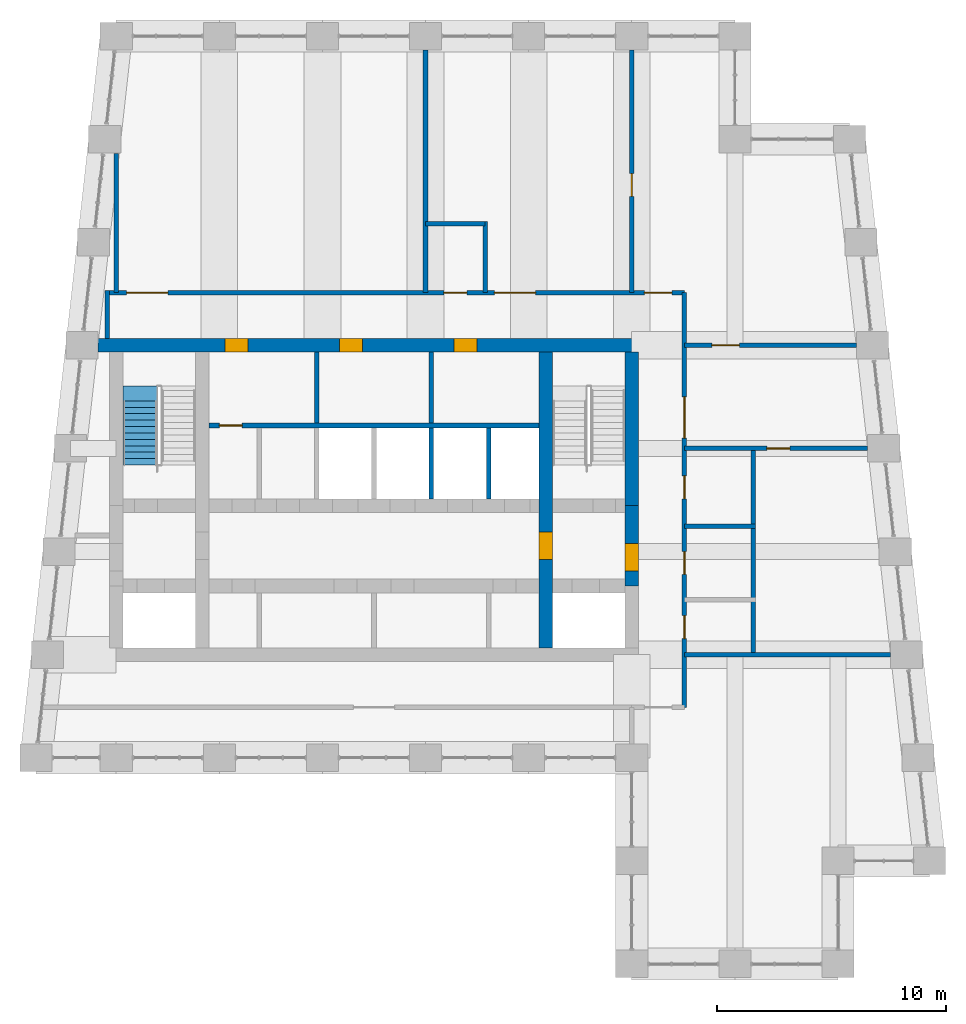
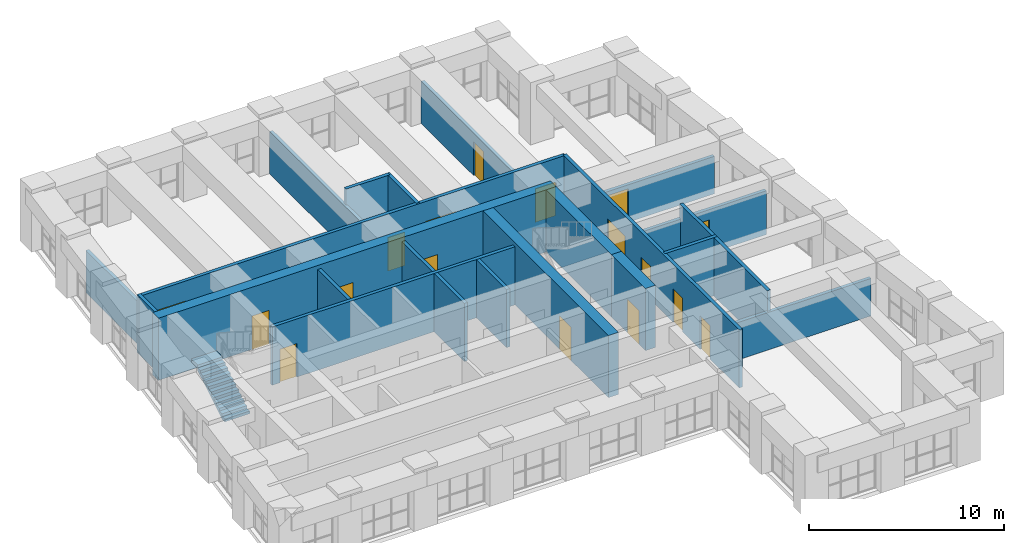
# One storey, part 16 of 18: 22 walls, 17 doors, 1 stair flight, 17 openings, 1 element without a shape of its own.
"""IFC4 building model written with IfcOpenShell, lengths in metres."""

from ifc_helpers import new_model, si_unit, direction, frame, frame_2d, origin, place, context, subcontext, project, spatial, polyline, rectangle, outline, extrude, material, layer, layer_set, type_object, element, fill, aggregate, save


model = new_model("IFC4")

# Units and contexts
model_context = context("Model", 3, precision=1e-05, world=origin(), true_north=direction((0.0, 1.0)))
body_context = subcontext(model_context, "Body", "Model", "MODEL_VIEW")
ifc_project = project(units=[si_unit("LENGTHUNIT", "METRE"), si_unit("AREAUNIT", "SQUARE_METRE"), si_unit("VOLUMEUNIT", "CUBIC_METRE"), si_unit("PLANEANGLEUNIT", "RADIAN"), si_unit("MASSUNIT", "GRAM", prefix="KILO")], contexts=[model_context])

# Site, building, storey
site_placement = place(None, origin())
site = spatial("IfcSite", under=ifc_project, at=site_placement, CompositionType="ELEMENT")
building_placement = place(site_placement, origin())
building = spatial("IfcBuilding", under=site, at=building_placement, Name="Kilele Tower Hotel", CompositionType="ELEMENT")
storey_placement = place(building_placement, frame((0.0, 0.0, 281.89990234375)))
storey = spatial("IfcBuildingStorey", under=building, at=storey_placement, Name="L72", CompositionType="ELEMENT", Elevation=281.89990234375)

# Wall, openings, doors
ifc_material_1 = material(Name="Concrete C60/75", Category="concrete")
ifc_layer_1 = layer(ifc_material_1, 0.60009765625)
ifc_layer_set_1 = layer_set([ifc_layer_1], Name="Concrete C60/75")
wall_type_1 = type_object("IfcWallType", Name="Core wall 600 C60/75", PredefinedType="SHEAR", material=ifc_layer_set_1)
wall_1_placement = place(storey_placement, frame((36.300048828125, 27.0, 0.0), z_axis=(0.0, 0.0, 1.0), x_axis=(-1.0, 0.0, 0.0)))
wall_1 = element("IfcWall", 1, at=wall_1_placement, inside=storey, type_object=wall_type_1, Name="Core wall N L72", PredefinedType="SHEAR", context=body_context, shape_type="SweptSolid", body=[
    extrude(rectangle(XDim=23.60009765625, YDim=0.60009765625, at=frame_2d((11.800048828125, 0.0))), origin(), (0.0, 0.0, 1.0), 3.900146484375),
])
opening_1_placement = place(wall_1_placement, frame((17.050048828125, 0.0, 0.0)))
opening_1 = element("IfcOpeningElement", 2, at=opening_1_placement, cuts=wall_1, Name="Opening D12", PredefinedType="OPENING", context=body_context, shape_type="SweptSolid", body=[
    extrude(rectangle(XDim=1.0, YDim=2.10009765625, at=frame_2d((0.5, 1.050048828125))), frame((0.0, 0.31005859375, 0.0), z_axis=(0.0, -1.0, 0.0), x_axis=(1.0, 0.0, 0.0)), (0.0, 0.0, 1.0), 0.6201171875),
])
opening_2_placement = place(wall_1_placement, frame((12.050048828125, 0.0, 0.0)))
opening_2 = element("IfcOpeningElement", 3, at=opening_2_placement, cuts=wall_1, Name="Opening D6", PredefinedType="OPENING", context=body_context, shape_type="SweptSolid", body=[
    extrude(rectangle(XDim=1.0, YDim=2.10009765625, at=frame_2d((0.5, 1.050048828125))), frame((0.0, 0.31005859375, 0.0), z_axis=(0.0, -1.0, 0.0), x_axis=(1.0, 0.0, 0.0)), (0.0, 0.0, 1.0), 0.6201171875),
])
opening_3_placement = place(wall_1_placement, frame((7.050048828125, 0.0, 0.0)))
opening_3 = element("IfcOpeningElement", 4, at=opening_3_placement, cuts=wall_1, Name="Opening D6", PredefinedType="OPENING", context=body_context, shape_type="SweptSolid", body=[
    extrude(rectangle(XDim=1.0, YDim=2.10009765625, at=frame_2d((0.5, 1.050048828125))), frame((0.0, 0.31005859375, 0.0), z_axis=(0.0, -1.0, 0.0), x_axis=(1.0, 0.0, 0.0)), (0.0, 0.0, 1.0), 0.6201171875),
])
ifc_material_2 = material(Name="Timber door leaf in hardwood frame", Category="wood")
door_type_1 = type_object("IfcDoorType", Name="Core lobby door 1000", OperationType="SINGLE_SWING_LEFT", PredefinedType="DOOR", material=ifc_material_2)
door_1_placement = place(opening_1_placement, origin())
door_1 = element("IfcDoor", 5, at=door_1_placement, inside=storey, type_object=door_type_1, Name="North lobby door L72", OperationType="SINGLE_SWING_RIGHT", OverallHeight=2.10009765625, OverallWidth=1.0, PredefinedType="DOOR", context=body_context, shape_type="SweptSolid", body=[
    extrude(rectangle(XDim=1.0, YDim=2.10009765625, at=frame_2d((0.5, 1.050048828125))), frame((0.0, 0.2998046875, 0.0), z_axis=(0.0, -1.0, 0.0), x_axis=(1.0, 0.0, 0.0)), (0.0, 0.0, 1.0), 0.599609375),
])
fill(opening_1, door_1)
ifc_material_3 = material(Name="Timber door leaf in hardwood frame", Category="wood")
door_type_2 = type_object("IfcDoorType", Name="Riser door 1000", OperationType="SINGLE_SWING_LEFT", PredefinedType="DOOR", material=ifc_material_3)
door_2_placement = place(opening_2_placement, origin())
door_2 = element("IfcDoor", 6, at=door_2_placement, inside=storey, type_object=door_type_2, Name="Staff WC door L72", OperationType="SINGLE_SWING_RIGHT", OverallHeight=2.10009765625, OverallWidth=1.0, PredefinedType="DOOR", context=body_context, shape_type="SweptSolid", body=[
    extrude(rectangle(XDim=1.0, YDim=2.10009765625, at=frame_2d((0.5, 1.050048828125))), frame((0.0, 0.2998046875, 0.0), z_axis=(0.0, -1.0, 0.0), x_axis=(1.0, 0.0, 0.0)), (0.0, 0.0, 1.0), 0.599609375),
])
fill(opening_2, door_2)
door_3_placement = place(opening_3_placement, origin())
door_3 = element("IfcDoor", 7, at=door_3_placement, inside=storey, type_object=door_type_2, Name="Electrical riser door L72", OperationType="SINGLE_SWING_RIGHT", OverallHeight=2.10009765625, OverallWidth=1.0, PredefinedType="DOOR", context=body_context, shape_type="SweptSolid", body=[
    extrude(rectangle(XDim=1.0, YDim=2.10009765625, at=frame_2d((0.5, 1.050048828125))), frame((0.0, 0.2998046875, 0.0), z_axis=(0.0, -1.0, 0.0), x_axis=(1.0, 0.0, 0.0)), (0.0, 0.0, 1.0), 0.599609375),
])
fill(opening_3, door_3)

# Wall, opening, door
wall_2_placement = place(storey_placement, frame((32.25, 13.800048828125, 0.0), z_axis=(0.0, 0.0, 1.0), x_axis=(0.0, 1.0, 0.0)))
wall_2 = element("IfcWall", 8, at=wall_2_placement, inside=storey, type_object=wall_type_1, Name="Core wall IE L72", PredefinedType="SHEAR", context=body_context, shape_type="SweptSolid", body=[
    extrude(rectangle(XDim=12.89990234375, YDim=0.60009765625, at=frame_2d((6.449951171875, 0.0))), origin(), (0.0, 0.0, 1.0), 3.900146484375),
])
opening_4_placement = place(wall_2_placement, frame((5.050048828125, 0.0, 0.0), z_axis=(0.0, 0.0, 1.0), x_axis=(-1.0, 0.0, 0.0)))
opening_4 = element("IfcOpeningElement", 9, at=opening_4_placement, cuts=wall_2, Name="Opening D4", PredefinedType="OPENING", context=body_context, shape_type="SweptSolid", body=[
    extrude(rectangle(XDim=1.199951171875, YDim=2.10009765625, at=frame_2d((0.60009765625, 1.050048828125))), frame((0.0, 0.31005859375, 0.0), z_axis=(0.0, -1.0, 0.0), x_axis=(1.0, 0.0, 0.0)), (0.0, 0.0, 1.0), 0.6201171875),
])
ifc_material_4 = material(Name="Timber door leaf in hardwood frame", Category="wood")
door_type_3 = type_object("IfcDoorType", Name="Firefighting lobby door 1200", OperationType="SINGLE_SWING_LEFT", PredefinedType="DOOR", material=ifc_material_4)
door_4_placement = place(opening_4_placement, origin())
door_4 = element("IfcDoor", 10, at=door_4_placement, inside=storey, type_object=door_type_3, Name="Lobby door L72", OperationType="SINGLE_SWING_RIGHT", OverallHeight=2.10009765625, OverallWidth=1.199951171875, PredefinedType="DOOR", context=body_context, shape_type="SweptSolid", body=[
    extrude(rectangle(XDim=1.199951171875, YDim=2.10009765625, at=frame_2d((0.60009765625, 1.050048828125))), frame((0.0, 0.2998046875, 0.0), z_axis=(0.0, -1.0, 0.0), x_axis=(1.0, 0.0, 0.0)), (0.0, 0.0, 1.0), 0.599609375),
])
fill(opening_4, door_4)

wall_3_placement = place(storey_placement, frame((36.0, 16.5, 0.0), z_axis=(0.0, 0.0, 1.0), x_axis=(0.0, 1.0, 0.0)))
wall_3 = element("IfcWall", 11, at=wall_3_placement, inside=storey, type_object=wall_type_1, Name="Core wall E2 L72", PredefinedType="SHEAR", context=body_context, shape_type="SweptSolid", body=[
    extrude(rectangle(XDim=3.5, YDim=0.60009765625, at=frame_2d((1.75, 0.0))), origin(), (0.0, 0.0, 1.0), 3.900146484375),
])
opening_5_placement = place(wall_3_placement, frame((0.64990234375, 0.0, 0.0)))
opening_5 = element("IfcOpeningElement", 12, at=opening_5_placement, cuts=wall_3, Name="Opening D4", PredefinedType="OPENING", context=body_context, shape_type="SweptSolid", body=[
    extrude(rectangle(XDim=1.199951171875, YDim=2.10009765625, at=frame_2d((0.60009765625, 1.050048828125))), frame((0.0, 0.31005859375, 0.0), z_axis=(0.0, -1.0, 0.0), x_axis=(1.0, 0.0, 0.0)), (0.0, 0.0, 1.0), 0.6201171875),
])
door_5_placement = place(opening_5_placement, origin())
door_5 = element("IfcDoor", 13, at=door_5_placement, inside=storey, type_object=door_type_3, Name="Lobby door L72", OperationType="SINGLE_SWING_LEFT", OverallHeight=2.10009765625, OverallWidth=1.199951171875, PredefinedType="DOOR", context=body_context, shape_type="SweptSolid", body=[
    extrude(rectangle(XDim=1.199951171875, YDim=2.10009765625, at=frame_2d((0.60009765625, 1.050048828125))), frame((0.0, 0.2998046875, 0.0), z_axis=(0.0, -1.0, 0.0), x_axis=(1.0, 0.0, 0.0)), (0.0, 0.0, 1.0), 0.599609375),
])
fill(opening_5, door_5)

# Wall
wall_4_placement = place(storey_placement, frame((36.0, 20.0, 0.0), z_axis=(0.0, 0.0, 1.0), x_axis=(0.0, 1.0, 0.0)))
element("IfcWall", 14, at=wall_4_placement, inside=storey, type_object=wall_type_1, Name="Core wall E3 L72", PredefinedType="SHEAR", context=body_context, shape_type="SweptSolid", body=[
    extrude(rectangle(XDim=6.699951171875, YDim=0.60009765625, at=frame_2d((3.35009765625, 0.0))), origin(), (0.0, 0.0, 1.0), 3.900146484375),
])

# Wall, openings, doors
ifc_material_5 = material(Name="Blockwork, plastered both sides", Category="masonry")
ifc_layer_2 = layer(ifc_material_5, 0.199951171875)
ifc_layer_set_2 = layer_set([ifc_layer_2], Name="Blockwork, plastered both sides")
wall_type_2 = type_object("IfcWallType", Name="Corridor wall 200", PredefinedType="PARTITIONING", material=ifc_layer_set_2)
wall_5_placement = place(storey_placement, frame((38.300048828125, 11.199951171875, 0.0), z_axis=(0.0, 0.0, 1.0), x_axis=(0.0, 1.0, 0.0)))
wall_5 = element("IfcWall", 15, at=wall_5_placement, inside=storey, type_object=wall_type_2, Name="Corridor wall 200 L72", PredefinedType="PARTITIONING", context=body_context, shape_type="SweptSolid", body=[
    extrude(rectangle(XDim=18.10009765625, YDim=0.199951171875, at=frame_2d((9.050048828125, 0.0))), origin(), (0.0, 0.0, 1.0), 3.650146484375),
])
opening_6_placement = place(wall_5_placement, frame((4.0, 0.0, 0.0), z_axis=(0.0, 0.0, 1.0), x_axis=(-1.0, 0.0, 0.0)))
opening_6 = element("IfcOpeningElement", 16, at=opening_6_placement, cuts=wall_5, Name="Opening D8", PredefinedType="OPENING", context=body_context, shape_type="SweptSolid", body=[
    extrude(rectangle(XDim=1.0, YDim=2.10009765625, at=frame_2d((0.5, 1.050048828125))), frame((0.0, 0.10986328125, 0.0), z_axis=(0.0, -1.0, 0.0), x_axis=(1.0, 0.0, 0.0)), (0.0, 0.0, 1.0), 0.219970703125),
])
opening_7_placement = place(wall_5_placement, frame((6.800048828125, 0.0, 0.0), z_axis=(0.0, 0.0, 1.0), x_axis=(-1.0, 0.0, 0.0)))
opening_7 = element("IfcOpeningElement", 17, at=opening_7_placement, cuts=wall_5, Name="Opening D8", PredefinedType="OPENING", context=body_context, shape_type="SweptSolid", body=[
    extrude(rectangle(XDim=1.0, YDim=2.10009765625, at=frame_2d((0.5, 1.050048828125))), frame((0.0, 0.10986328125, 0.0), z_axis=(0.0, -1.0, 0.0), x_axis=(1.0, 0.0, 0.0)), (0.0, 0.0, 1.0), 0.219970703125),
])
opening_8_placement = place(wall_5_placement, frame((10.10009765625, 0.0, 0.0), z_axis=(0.0, 0.0, 1.0), x_axis=(-1.0, 0.0, 0.0)))
opening_8 = element("IfcOpeningElement", 18, at=opening_8_placement, cuts=wall_5, Name="Opening D8", PredefinedType="OPENING", context=body_context, shape_type="SweptSolid", body=[
    extrude(rectangle(XDim=1.0, YDim=2.10009765625, at=frame_2d((0.5, 1.050048828125))), frame((0.0, 0.10986328125, 0.0), z_axis=(0.0, -1.0, 0.0), x_axis=(1.0, 0.0, 0.0)), (0.0, 0.0, 1.0), 0.219970703125),
])
opening_9_placement = place(wall_5_placement, frame((13.550048828125, 0.0, 0.0), z_axis=(0.0, 0.0, 1.0), x_axis=(-1.0, 0.0, 0.0)))
opening_9 = element("IfcOpeningElement", 19, at=opening_9_placement, cuts=wall_5, Name="Opening D9", PredefinedType="OPENING", context=body_context, shape_type="SweptSolid", body=[
    extrude(rectangle(XDim=1.800048828125, YDim=2.39990234375, at=frame_2d((0.89990234375, 1.199951171875))), frame((0.0, 0.10986328125, 0.0), z_axis=(0.0, -1.0, 0.0), x_axis=(1.0, 0.0, 0.0)), (0.0, 0.0, 1.0), 0.219970703125),
])
ifc_material_6 = material(Name="Timber door leaf in hardwood frame", Category="wood")
door_type_4 = type_object("IfcDoorType", Name="Door 1000", OperationType="SINGLE_SWING_LEFT", PredefinedType="DOOR", material=ifc_material_6)
door_6_placement = place(opening_6_placement, origin())
door_6 = element("IfcDoor", 20, at=door_6_placement, inside=storey, type_object=door_type_4, Name="Door Accessible WC 7201", OperationType="SINGLE_SWING_RIGHT", OverallHeight=2.10009765625, OverallWidth=1.0, PredefinedType="DOOR", context=body_context, shape_type="SweptSolid", body=[
    extrude(rectangle(XDim=1.0, YDim=2.10009765625, at=frame_2d((0.5, 1.050048828125))), frame((0.0, 0.02490234375, 0.0), z_axis=(0.0, -1.0, 0.0), x_axis=(1.0, 0.0, 0.0)), (0.0, 0.0, 1.0), 0.050048828125),
])
fill(opening_6, door_6)
door_7_placement = place(opening_7_placement, origin())
door_7 = element("IfcDoor", 21, at=door_7_placement, inside=storey, type_object=door_type_4, Name="Door WC women 7202", OperationType="SINGLE_SWING_RIGHT", OverallHeight=2.10009765625, OverallWidth=1.0, PredefinedType="DOOR", context=body_context, shape_type="SweptSolid", body=[
    extrude(rectangle(XDim=1.0, YDim=2.10009765625, at=frame_2d((0.5, 1.050048828125))), frame((0.0, 0.02490234375, 0.0), z_axis=(0.0, -1.0, 0.0), x_axis=(1.0, 0.0, 0.0)), (0.0, 0.0, 1.0), 0.050048828125),
])
fill(opening_7, door_7)
door_8_placement = place(opening_8_placement, origin())
door_8 = element("IfcDoor", 22, at=door_8_placement, inside=storey, type_object=door_type_4, Name="Door WC men 7203", OperationType="SINGLE_SWING_LEFT", OverallHeight=2.10009765625, OverallWidth=1.0, PredefinedType="DOOR", context=body_context, shape_type="SweptSolid", body=[
    extrude(rectangle(XDim=1.0, YDim=2.10009765625, at=frame_2d((0.5, 1.050048828125))), frame((0.0, 0.02490234375, 0.0), z_axis=(0.0, -1.0, 0.0), x_axis=(1.0, 0.0, 0.0)), (0.0, 0.0, 1.0), 0.050048828125),
])
fill(opening_8, door_8)
ifc_material_7 = material(Name="Timber door leaf in hardwood frame", Category="wood")
door_type_5 = type_object("IfcDoorType", Name="Double door 1800", OperationType="DOUBLE_DOOR_SINGLE_SWING", PredefinedType="DOOR", material=ifc_material_7)
door_9_placement = place(opening_9_placement, origin())
door_9 = element("IfcDoor", 23, at=door_9_placement, inside=storey, type_object=door_type_5, Name="Door Restaurant servery 7205", OperationType="DOUBLE_DOOR_SINGLE_SWING", OverallHeight=2.39990234375, OverallWidth=1.800048828125, PredefinedType="DOOR", context=body_context, shape_type="SweptSolid", body=[
    extrude(rectangle(XDim=1.800048828125, YDim=2.39990234375, at=frame_2d((0.89990234375, 1.199951171875))), frame((0.0, 0.02490234375, 0.0), z_axis=(0.0, -1.0, 0.0), x_axis=(1.0, 0.0, 0.0)), (0.0, 0.0, 1.0), 0.050048828125),
])
fill(opening_9, door_9)

wall_6_placement = place(storey_placement, frame((13.0, 29.300048828125, 0.0), z_axis=(0.0, 0.0, 1.0), x_axis=(1.0, 0.0, 0.0)))
wall_6 = element("IfcWall", 24, at=wall_6_placement, inside=storey, type_object=wall_type_2, Name="Corridor wall 200 L72", PredefinedType="PARTITIONING", context=body_context, shape_type="SweptSolid", body=[
    extrude(rectangle(XDim=25.300048828125, YDim=0.199951171875, at=frame_2d((12.64990234375, 0.0))), origin(), (0.0, 0.0, 1.0), 3.650146484375),
])
opening_10_placement = place(wall_6_placement, frame((2.75, 0.0, 0.0), z_axis=(0.0, 0.0, 1.0), x_axis=(-1.0, 0.0, 0.0)))
opening_10 = element("IfcOpeningElement", 25, at=opening_10_placement, cuts=wall_6, Name="Opening D9", PredefinedType="OPENING", context=body_context, shape_type="SweptSolid", body=[
    extrude(rectangle(XDim=1.800048828125, YDim=2.39990234375, at=frame_2d((0.89990234375, 1.199951171875))), frame((0.0, 0.10986328125, 0.0), z_axis=(0.0, -1.0, 0.0), x_axis=(1.0, 0.0, 0.0)), (0.0, 0.0, 1.0), 0.219970703125),
])
opening_11_placement = place(wall_6_placement, frame((14.800048828125, 0.0, 0.0)))
opening_11 = element("IfcOpeningElement", 26, at=opening_11_placement, cuts=wall_6, Name="Opening D8", PredefinedType="OPENING", context=body_context, shape_type="SweptSolid", body=[
    extrude(rectangle(XDim=1.0, YDim=2.10009765625, at=frame_2d((0.5, 1.050048828125))), frame((0.0, 0.10986328125, 0.0), z_axis=(0.0, -1.0, 0.0), x_axis=(1.0, 0.0, 0.0)), (0.0, 0.0, 1.0), 0.219970703125),
])
opening_12_placement = place(wall_6_placement, frame((18.800048828125, 0.0, 0.0), z_axis=(0.0, 0.0, 1.0), x_axis=(-1.0, 0.0, 0.0)))
opening_12 = element("IfcOpeningElement", 27, at=opening_12_placement, cuts=wall_6, Name="Opening D9", PredefinedType="OPENING", context=body_context, shape_type="SweptSolid", body=[
    extrude(rectangle(XDim=1.800048828125, YDim=2.39990234375, at=frame_2d((0.89990234375, 1.199951171875))), frame((0.0, 0.10986328125, 0.0), z_axis=(0.0, -1.0, 0.0), x_axis=(1.0, 0.0, 0.0)), (0.0, 0.0, 1.0), 0.219970703125),
])
opening_13_placement = place(wall_6_placement, frame((23.550048828125, 0.0, 0.0)))
opening_13 = element("IfcOpeningElement", 28, at=opening_13_placement, cuts=wall_6, Name="Opening D8A", PredefinedType="OPENING", context=body_context, shape_type="SweptSolid", body=[
    extrude(rectangle(XDim=1.199951171875, YDim=2.10009765625, at=frame_2d((0.60009765625, 1.050048828125))), frame((0.0, 0.10986328125, 0.0), z_axis=(0.0, -1.0, 0.0), x_axis=(1.0, 0.0, 0.0)), (0.0, 0.0, 1.0), 0.219970703125),
])
door_10_placement = place(opening_11_placement, origin())
door_10 = element("IfcDoor", 29, at=door_10_placement, inside=storey, type_object=door_type_4, Name="Door Cold store 7207", OperationType="SINGLE_SWING_RIGHT", OverallHeight=2.10009765625, OverallWidth=1.0, PredefinedType="DOOR", context=body_context, shape_type="SweptSolid", body=[
    extrude(rectangle(XDim=1.0, YDim=2.10009765625, at=frame_2d((0.5, 1.050048828125))), frame((0.0, 0.02490234375, 0.0), z_axis=(0.0, -1.0, 0.0), x_axis=(1.0, 0.0, 0.0)), (0.0, 0.0, 1.0), 0.050048828125),
])
fill(opening_11, door_10)
ifc_material_8 = material(Name="Timber door leaf in hardwood frame", Category="wood")
door_type_6 = type_object("IfcDoorType", Name="Door 1200", OperationType="SINGLE_SWING_LEFT", PredefinedType="DOOR", material=ifc_material_8)
door_11_placement = place(opening_13_placement, origin())
door_11 = element("IfcDoor", 30, at=door_11_placement, inside=storey, type_object=door_type_6, Name="Door Restaurant kitchen 7210", OperationType="SINGLE_SWING_LEFT", OverallHeight=2.10009765625, OverallWidth=1.199951171875, PredefinedType="DOOR", context=body_context, shape_type="SweptSolid", body=[
    extrude(rectangle(XDim=1.199951171875, YDim=2.10009765625, at=frame_2d((0.60009765625, 1.050048828125))), frame((0.0, 0.02490234375, 0.0), z_axis=(0.0, -1.0, 0.0), x_axis=(1.0, 0.0, 0.0)), (0.0, 0.0, 1.0), 0.050048828125),
])
fill(opening_13, door_11)
door_12_placement = place(opening_10_placement, origin())
door_12 = element("IfcDoor", 31, at=door_12_placement, inside=storey, type_object=door_type_5, Name="Door Sky restaurant dining room 7206", OperationType="DOUBLE_DOOR_SINGLE_SWING", OverallHeight=2.39990234375, OverallWidth=1.800048828125, PredefinedType="DOOR", context=body_context, shape_type="SweptSolid", body=[
    extrude(rectangle(XDim=1.800048828125, YDim=2.39990234375, at=frame_2d((0.89990234375, 1.199951171875))), frame((0.0, 0.02490234375, 0.0), z_axis=(0.0, -1.0, 0.0), x_axis=(1.0, 0.0, 0.0)), (0.0, 0.0, 1.0), 0.050048828125),
])
fill(opening_10, door_12)
door_13_placement = place(opening_12_placement, origin())
door_13 = element("IfcDoor", 32, at=door_13_placement, inside=storey, type_object=door_type_5, Name="Door Private dining room 7208", OperationType="DOUBLE_DOOR_SINGLE_SWING", OverallHeight=2.39990234375, OverallWidth=1.800048828125, PredefinedType="DOOR", context=body_context, shape_type="SweptSolid", body=[
    extrude(rectangle(XDim=1.800048828125, YDim=2.39990234375, at=frame_2d((0.89990234375, 1.199951171875))), frame((0.0, 0.02490234375, 0.0), z_axis=(0.0, -1.0, 0.0), x_axis=(1.0, 0.0, 0.0)), (0.0, 0.0, 1.0), 0.050048828125),
])
fill(opening_12, door_13)

# Wall
ifc_material_9 = material(Name="Blockwork, plastered both sides", Category="masonry")
ifc_layer_3 = layer(ifc_material_9, 0.199951171875)
ifc_layer_set_3 = layer_set([ifc_layer_3], Name="Blockwork, plastered both sides")
wall_type_3 = type_object("IfcWallType", Name="Partition wall 200", PredefinedType="PARTITIONING", material=ifc_layer_set_3)
wall_7_placement = place(storey_placement, frame((38.300048828125, 13.5, 0.0), z_axis=(0.0, 0.0, 1.0), x_axis=(1.0, 0.0, 0.0)))
element("IfcWall", 33, at=wall_7_placement, inside=storey, type_object=wall_type_3, Name="Partition wall 200 L72", PredefinedType="PARTITIONING", context=body_context, shape_type="SweptSolid", body=[
    extrude(rectangle(XDim=8.9990234375, YDim=0.199951171875, at=frame_2d((4.49951171875, 0.0))), origin(), (0.0, 0.0, 1.0), 2.35009765625),
])

# Wall, opening, door
wall_8_placement = place(storey_placement, frame((38.300048828125, 22.5, 0.0), z_axis=(0.0, 0.0, 1.0), x_axis=(1.0, 0.0, 0.0)))
wall_8 = element("IfcWall", 34, at=wall_8_placement, inside=storey, type_object=wall_type_3, Name="Partition wall 200 L72", PredefinedType="PARTITIONING", context=body_context, shape_type="SweptSolid", body=[
    extrude(rectangle(XDim=7.9990234375, YDim=0.199951171875, at=frame_2d((3.99951171875, 0.0))), origin(), (0.0, 0.0, 1.0), 2.75),
])
opening_14_placement = place(wall_8_placement, frame((4.60009765625, 0.0, 0.0), z_axis=(0.0, 0.0, 1.0), x_axis=(-1.0, 0.0, 0.0)))
opening_14 = element("IfcOpeningElement", 35, at=opening_14_placement, cuts=wall_8, Name="Opening D8", PredefinedType="OPENING", context=body_context, shape_type="SweptSolid", body=[
    extrude(rectangle(XDim=1.0, YDim=2.10009765625, at=frame_2d((0.5, 1.050048828125))), frame((0.0, 0.10986328125, 0.0), z_axis=(0.0, -1.0, 0.0), x_axis=(1.0, 0.0, 0.0)), (0.0, 0.0, 1.0), 0.219970703125),
])
door_14_placement = place(opening_14_placement, origin())
door_14 = element("IfcDoor", 36, at=door_14_placement, inside=storey, type_object=door_type_4, Name="Door Restaurant dry store", OperationType="SINGLE_SWING_RIGHT", OverallHeight=2.10009765625, OverallWidth=1.0, PredefinedType="DOOR", context=body_context, shape_type="SweptSolid", body=[
    extrude(rectangle(XDim=1.0, YDim=2.10009765625, at=frame_2d((0.5, 1.050048828125))), frame((0.0, 0.02490234375, 0.0), z_axis=(0.0, -1.0, 0.0), x_axis=(1.0, 0.0, 0.0)), (0.0, 0.0, 1.0), 0.050048828125),
])
fill(opening_14, door_14)

wall_9_placement = place(storey_placement, frame((38.300048828125, 27.0, 0.0), z_axis=(0.0, 0.0, 1.0), x_axis=(1.0, 0.0, 0.0)))
wall_9 = element("IfcWall", 37, at=wall_9_placement, inside=storey, type_object=wall_type_3, Name="Partition wall 200 L72", PredefinedType="PARTITIONING", context=body_context, shape_type="SweptSolid", body=[
    extrude(rectangle(XDim=7.4990234375, YDim=0.199951171875, at=frame_2d((3.74951171875, 0.0))), origin(), (0.0, 0.0, 1.0), 2.35009765625),
])
opening_15_placement = place(wall_9_placement, frame((1.199951171875, 0.0, 0.0)))
opening_15 = element("IfcOpeningElement", 38, at=opening_15_placement, cuts=wall_9, Name="Opening D8A", PredefinedType="OPENING", context=body_context, shape_type="SweptSolid", body=[
    extrude(rectangle(XDim=1.199951171875, YDim=2.10009765625, at=frame_2d((0.60009765625, 1.050048828125))), frame((0.0, 0.10986328125, 0.0), z_axis=(0.0, -1.0, 0.0), x_axis=(1.0, 0.0, 0.0)), (0.0, 0.0, 1.0), 0.219970703125),
])
door_15_placement = place(opening_15_placement, origin())
door_15 = element("IfcDoor", 39, at=door_15_placement, inside=storey, type_object=door_type_6, Name="Door Restaurant servery", OperationType="SINGLE_SWING_LEFT", OverallHeight=2.10009765625, OverallWidth=1.199951171875, PredefinedType="DOOR", context=body_context, shape_type="SweptSolid", body=[
    extrude(rectangle(XDim=1.199951171875, YDim=2.10009765625, at=frame_2d((0.60009765625, 1.050048828125))), frame((0.0, 0.02490234375, 0.0), z_axis=(0.0, -1.0, 0.0), x_axis=(1.0, 0.0, 0.0)), (0.0, 0.0, 1.0), 0.050048828125),
])
fill(opening_15, door_15)

# Walls
wall_10_placement = place(storey_placement, frame((13.5, 29.300048828125, 0.0), z_axis=(0.0, 0.0, 1.0), x_axis=(0.0, 1.0, 0.0)))
element("IfcWall", 40, at=wall_10_placement, inside=storey, type_object=wall_type_3, Name="Partition wall 200 L72", PredefinedType="PARTITIONING", context=body_context, shape_type="SweptSolid", body=[
    extrude(rectangle(XDim=6.08154296875, YDim=0.199951171875, at=frame_2d((3.040771484375, 0.0))), origin(), (0.0, 0.0, 1.0), 2.650146484375),
])
wall_11_placement = place(storey_placement, frame((27.0, 29.300048828125, 0.0), z_axis=(0.0, 0.0, 1.0), x_axis=(0.0, 1.0, 0.0)))
element("IfcWall", 41, at=wall_11_placement, inside=storey, type_object=wall_type_3, Name="Partition wall 200 L72", PredefinedType="PARTITIONING", context=body_context, shape_type="SweptSolid", body=[
    extrude(rectangle(XDim=10.58984375, YDim=0.199951171875, at=frame_2d((5.294921875, 0.0))), origin(), (0.0, 0.0, 1.0), 2.650146484375),
])

# Wall, opening, door
wall_12_placement = place(storey_placement, frame((36.0, 29.300048828125, 0.0), z_axis=(0.0, 0.0, 1.0), x_axis=(0.0, 1.0, 0.0)))
wall_12 = element("IfcWall", 42, at=wall_12_placement, inside=storey, type_object=wall_type_3, Name="Partition wall 200 L72", PredefinedType="PARTITIONING", context=body_context, shape_type="SweptSolid", body=[
    extrude(rectangle(XDim=10.58984375, YDim=0.199951171875, at=frame_2d((5.294921875, 0.0))), origin(), (0.0, 0.0, 1.0), 2.650146484375),
])
opening_16_placement = place(wall_12_placement, frame((4.199951171875, 0.0, 0.0)))
opening_16 = element("IfcOpeningElement", 43, at=opening_16_placement, cuts=wall_12, Name="Opening D8", PredefinedType="OPENING", context=body_context, shape_type="SweptSolid", body=[
    extrude(rectangle(XDim=1.0, YDim=2.10009765625, at=frame_2d((0.5, 1.050048828125))), frame((0.0, 0.10986328125, 0.0), z_axis=(0.0, -1.0, 0.0), x_axis=(1.0, 0.0, 0.0)), (0.0, 0.0, 1.0), 0.219970703125),
])
door_16_placement = place(opening_16_placement, origin())
door_16 = element("IfcDoor", 44, at=door_16_placement, inside=storey, type_object=door_type_4, Name="Door Private dining room", OperationType="SINGLE_SWING_LEFT", OverallHeight=2.10009765625, OverallWidth=1.0, PredefinedType="DOOR", context=body_context, shape_type="SweptSolid", body=[
    extrude(rectangle(XDim=1.0, YDim=2.10009765625, at=frame_2d((0.5, 1.050048828125))), frame((0.0, 0.02490234375, 0.0), z_axis=(0.0, -1.0, 0.0), x_axis=(1.0, 0.0, 0.0)), (0.0, 0.0, 1.0), 0.050048828125),
])
fill(opening_16, door_16)

# Walls
wall_13_placement = place(storey_placement, frame((38.300048828125, 19.10009765625, 0.0), z_axis=(0.0, 0.0, 1.0), x_axis=(1.0, 0.0, 0.0)))
element("IfcWall", 45, at=wall_13_placement, inside=storey, type_object=wall_type_3, Name="Partition wall 200 L72", PredefinedType="PARTITIONING", context=body_context, shape_type="SweptSolid", body=[
    extrude(rectangle(XDim=3.099853515625, YDim=0.199951171875, at=frame_2d((1.5498046875, 0.0))), origin(), (0.0, 0.0, 1.0), 3.650146484375),
])
wall_14_placement = place(storey_placement, frame((41.300048828125, 13.5, 0.0), z_axis=(0.0, 0.0, 1.0), x_axis=(0.0, 1.0, 0.0)))
element("IfcWall", 46, at=wall_14_placement, inside=storey, type_object=wall_type_3, Name="Partition wall 200 L72", PredefinedType="PARTITIONING", context=body_context, shape_type="SweptSolid", body=[
    extrude(rectangle(XDim=9.0, YDim=0.199951171875, at=frame_2d((4.5, 0.0))), origin(), (0.0, 0.0, 1.0), 3.650146484375),
])
wall_15_placement = place(storey_placement, frame((29.60009765625, 29.300048828125, 0.0), z_axis=(0.0, 0.0, 1.0), x_axis=(0.0, 1.0, 0.0)))
element("IfcWall", 47, at=wall_15_placement, inside=storey, type_object=wall_type_3, Name="Partition wall 200 L72", PredefinedType="PARTITIONING", context=body_context, shape_type="SweptSolid", body=[
    extrude(rectangle(XDim=3.099853515625, YDim=0.199951171875, at=frame_2d((1.5498046875, 0.0))), origin(), (0.0, 0.0, 1.0), 3.650146484375),
])
wall_16_placement = place(storey_placement, frame((27.0, 32.300048828125, 0.0), z_axis=(0.0, 0.0, 1.0), x_axis=(1.0, 0.0, 0.0)))
element("IfcWall", 48, at=wall_16_placement, inside=storey, type_object=wall_type_3, Name="Partition wall 200 L72", PredefinedType="PARTITIONING", context=body_context, shape_type="SweptSolid", body=[
    extrude(rectangle(XDim=2.60009765625, YDim=0.199951171875, at=frame_2d((1.300048828125, 0.0))), origin(), (0.0, 0.0, 1.0), 3.650146484375),
])
wall_17_placement = place(storey_placement, frame((13.10009765625, 27.300048828125, 0.0), z_axis=(0.0, 0.0, 1.0), x_axis=(0.0, 1.0, 0.0)))
element("IfcWall", 49, at=wall_17_placement, inside=storey, type_object=wall_type_3, Name="Partition wall 200 L72", PredefinedType="PARTITIONING", context=body_context, shape_type="SweptSolid", body=[
    extrude(rectangle(XDim=2.099853515625, YDim=0.199951171875, at=frame_2d((1.0498046875, 0.0))), origin(), (0.0, 0.0, 1.0), 3.650146484375),
])
ifc_material_10 = material(Name="Blockwork, fire-rated", Category="masonry")
ifc_layer_4 = layer(ifc_material_10, 0.199951171875)
ifc_layer_set_4 = layer_set([ifc_layer_4], Name="Blockwork, fire-rated")
wall_type_4 = type_object("IfcWallType", Name="Shaft wall 200", PredefinedType="PARTITIONING", material=ifc_layer_set_4)
for number, where, z_axis, x_axis, name in (
    (50, (27.25, 20.300048828125, 0.0), (0.0, 0.0, 1.0), (0.0, 1.0, 0.0), "Shaft wall 200 L72"),
    (51, (29.75, 20.300048828125, 0.0), (0.0, 0.0, 1.0), (0.0, 1.0, 0.0), "Shaft wall 200 L72"),
):
    element("IfcWall", number, at=place(storey_placement, frame(where, z_axis=z_axis, x_axis=x_axis)), inside=storey, type_object=wall_type_4, Name=name, PredefinedType="PARTITIONING", context=body_context, shape_type="SweptSolid", body=[
        extrude(rectangle(XDim=3.099853515625, YDim=0.199951171875, at=frame_2d((1.5498046875, 0.0))), origin(), (0.0, 0.0, 1.0), 3.650146484375),
    ])

# Wall, opening, door
wall_18_placement = place(storey_placement, frame((17.550048828125, 23.5, 0.0), z_axis=(0.0, 0.0, 1.0), x_axis=(1.0, 0.0, 0.0)))
wall_18 = element("IfcWall", 52, at=wall_18_placement, inside=storey, type_object=wall_type_4, Name="Shaft wall 200 L72", PredefinedType="PARTITIONING", context=body_context, shape_type="SweptSolid", body=[
    extrude(rectangle(XDim=14.39990234375, YDim=0.199951171875, at=frame_2d((7.199951171875, 0.0))), origin(), (0.0, 0.0, 1.0), 3.650146484375),
])
opening_17_placement = place(wall_18_placement, frame((0.449951171875, 0.0, 0.0)))
opening_17 = element("IfcOpeningElement", 53, at=opening_17_placement, cuts=wall_18, Name="Opening D12", PredefinedType="OPENING", context=body_context, shape_type="SweptSolid", body=[
    extrude(rectangle(XDim=1.0, YDim=2.10009765625, at=frame_2d((0.5, 1.050048828125))), frame((0.0, 0.10986328125, 0.0), z_axis=(0.0, -1.0, 0.0), x_axis=(1.0, 0.0, 0.0)), (0.0, 0.0, 1.0), 0.219970703125),
])
door_17_placement = place(opening_17_placement, origin())
door_17 = element("IfcDoor", 54, at=door_17_placement, inside=storey, type_object=door_type_1, Name="Core passage door", OperationType="SINGLE_SWING_LEFT", OverallHeight=2.10009765625, OverallWidth=1.0, PredefinedType="DOOR", context=body_context, shape_type="SweptSolid", body=[
    extrude(rectangle(XDim=1.0, YDim=2.10009765625, at=frame_2d((0.5, 1.050048828125))), frame((0.0, 0.02490234375, 0.0), z_axis=(0.0, -1.0, 0.0), x_axis=(1.0, 0.0, 0.0)), (0.0, 0.0, 1.0), 0.050048828125),
])
fill(opening_17, door_17)

# Walls
for number, where, z_axis, x_axis, name in (
    (55, (22.25, 23.60009765625, 0.0), (0.0, 0.0, 1.0), (0.0, 1.0, 0.0), "Shaft wall 200 L72"),
    (56, (27.25, 23.60009765625, 0.0), (0.0, 0.0, 1.0), (0.0, 1.0, 0.0), "Shaft wall 200 L72"),
):
    element("IfcWall", number, at=place(storey_placement, frame(where, z_axis=z_axis, x_axis=x_axis)), inside=storey, type_object=wall_type_4, Name=name, PredefinedType="PARTITIONING", context=body_context, shape_type="SweptSolid", body=[
        extrude(rectangle(XDim=3.099853515625, YDim=0.199951171875, at=frame_2d((1.5498046875, 0.0))), origin(), (0.0, 0.0, 1.0), 3.650146484375),
    ])

# Stair, stair flight
ifc_material_11 = material(Name="Precast concrete C40/50", Category="concrete")
stair_type = type_object("IfcStairType", Name="Stair 1475 x 3900", PredefinedType="HALF_TURN_STAIR", material=ifc_material_11)
stair_placement = place(storey_placement, origin())
stair = element("IfcStair", 57, at=stair_placement, inside=storey, type_object=stair_type, Name="Stair 1 L72", PredefinedType="HALF_TURN_STAIR")
ifc_material_12 = material(Name="Precast concrete C40/50", Category="concrete")
stair_flight_type = type_object("IfcStairFlightType", Name="Flight 1475 riser 169.6", PredefinedType="STRAIGHT", material=ifc_material_12)
stair_flight_placement = place(storey_placement, frame((14.53759765625, 21.77490234375, 0.0), z_axis=(0.0, 0.0, 1.0), x_axis=(0.0, 1.0, 0.0)))
stair_flight = element("IfcStairFlight", 58, at=stair_flight_placement, type_object=stair_flight_type, Name="ST1 flight 1", NumberOfRisers=11, NumberOfTreads=10, PredefinedType="STRAIGHT", RiserHeight=0.169565217, TreadLength=0.28, context=body_context, shape_type="SweptSolid", body=[
    extrude(outline(polyline([(0.0, 0.0), (0.0, 0.169677734375), (0.280029296875, 0.169677734375), (0.280029296875, 0.339111328125), (0.56005859375, 0.339111328125), (0.56005859375, 0.5087890625), (0.840087890625, 0.5087890625), (0.840087890625, 0.67822265625), (1.1201171875, 0.67822265625), (1.1201171875, 0.847900390625), (1.39990234375, 0.847900390625), (1.39990234375, 1.017333984375), (1.679931640625, 1.017333984375), (1.679931640625, 1.18701171875), (1.9599609375, 1.18701171875), (1.9599609375, 1.3564453125), (2.239990234375, 1.3564453125), (2.239990234375, 1.526123046875), (2.52001953125, 1.526123046875), (2.52001953125, 1.695556640625), (2.800048828125, 1.695556640625), (2.800048828125, 1.865234375), (2.800048828125, 1.5205078125), (0.289306640625, 0.0), (0.0, 0.0)])), frame((0.0, 0.737548828125, 0.0), z_axis=(0.0, -1.0, 0.0), x_axis=(1.0, 0.0, 0.0)), (0.0, 0.0, 1.0), 1.47509765625),
    extrude(outline(polyline([(2.800048828125, 0.737548828125), (2.800048828125, -0.7373046875), (3.4501953125, -0.7373046875), (3.4501953125, 0.737548828125), (2.800048828125, 0.737548828125)])), frame((0.0, 0.0, 1.665283203125)), (0.0, 0.0, 1.0), 0.199951171875),
])
aggregate(stair, [stair_flight])

save(model, "model.ifc")
